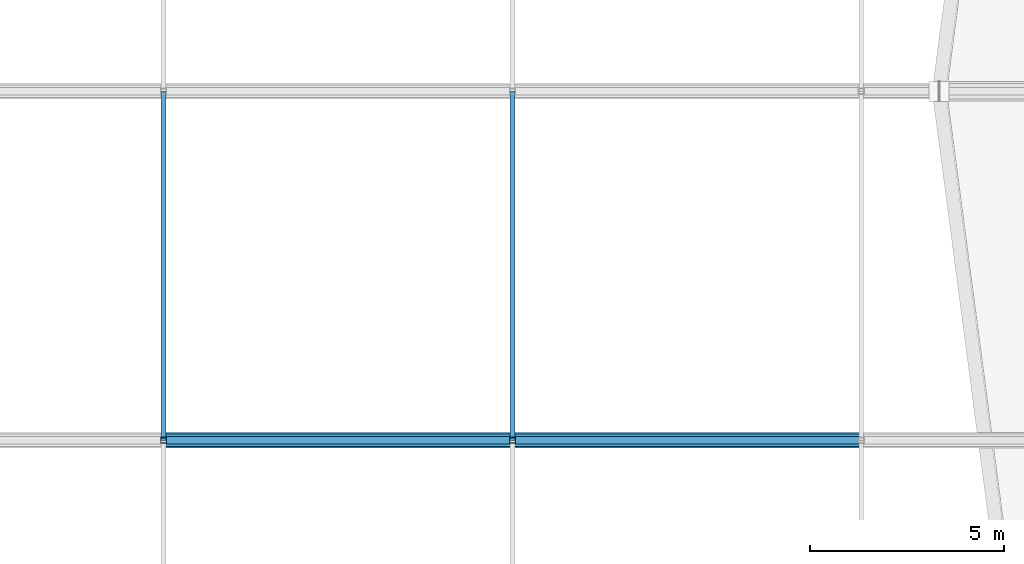
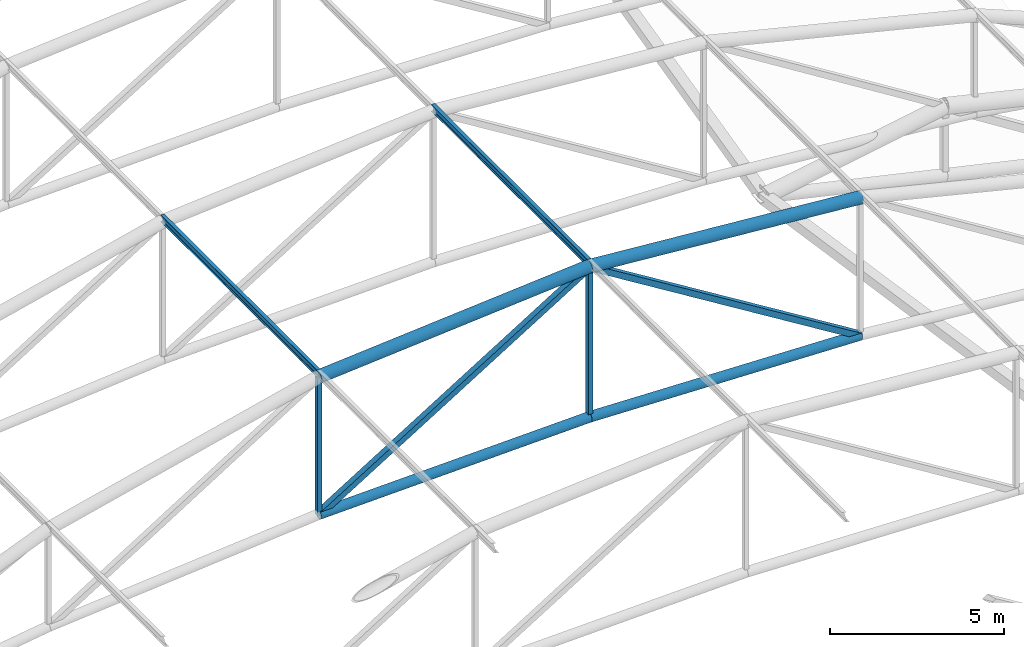
# One storey, part 42 of 167: 10 members.
"""IFC4 building model written with IfcOpenShell, lengths in metres."""

from ifc_helpers import new_model, si_unit, direction, frame, origin, origin_2d, place, context, subcontext, project, spatial, hollow_rectangle, hollow_circle, i_section, extrude, material, material_profile, profile_set, type_object, element, save


model = new_model("IFC4")

# Units and contexts
model_context = context("Model", 3, precision=1e-05, world=origin(), true_north=direction((0.0, 1.0)))
body_context = subcontext(model_context, "Body", "Model", "MODEL_VIEW")
ifc_project = project(units=[si_unit("LENGTHUNIT", "METRE"), si_unit("AREAUNIT", "SQUARE_METRE"), si_unit("VOLUMEUNIT", "CUBIC_METRE"), si_unit("PLANEANGLEUNIT", "RADIAN"), si_unit("MASSUNIT", "GRAM", prefix="KILO")], contexts=[model_context])

# Site, building, storey
site_placement = place(None, origin())
site = spatial("IfcSite", under=ifc_project, at=site_placement, CompositionType="ELEMENT")
building_placement = place(site_placement, origin())
building = spatial("IfcBuilding", under=site, at=building_placement, Name="Dornveld Trade and Exhibition Forum", CompositionType="ELEMENT")
storey_placement = place(building_placement, frame((0.0, 0.0, 16.800048828125)))
storey = spatial("IfcBuildingStorey", under=building, at=storey_placement, Name="L03", CompositionType="ELEMENT", Elevation=16.800048828125)

# Members
ifc_material_1 = material(Name="Steel S355J2", Category="steel")
ifc_material_profile_1 = material_profile(ifc_material_1, hollow_circle(Radius=0.161865234375, WallThickness=0.01611328125, at=origin_2d()), Name="CHS 323.9x16")
ifc_profile_set_1 = profile_set([ifc_material_profile_1], Name="Steel S355J2")
member_type_1 = type_object("IfcMemberType", Name="MEM-ARCH-BC", PredefinedType="CHORD", material=ifc_profile_set_1)
for number, where, z_axis, x_axis, name in (
    (1, (45.0, 72.0, 6.083251953125), (0.999561545365, 0.0, 0.029609407757), (0.0, 1.0, 0.0), "H3 truss 5 tie chord 3"),
    (2, (54.0, 72.0, 6.349853515625), (0.999561545365, 0.0, -0.029609407757), (0.0, 1.0, 0.0), "H3 truss 5 tie chord 4"),
):
    element("IfcMember", number, at=place(storey_placement, frame(where, z_axis=z_axis, x_axis=x_axis)), inside=storey, type_object=member_type_1, Name=name, PredefinedType="CHORD", context=body_context, shape_type="SweptSolid", body=[
        extrude(hollow_circle(Radius=0.161865234375, WallThickness=0.01611328125, at=origin_2d()), origin(), (0.0, 0.0, 1.0), 9.00390625),
    ])
ifc_material_2 = material(Name="Steel S355J2", Category="steel")
ifc_material_profile_2 = material_profile(ifc_material_2, hollow_rectangle(XDim=0.14990234375, YDim=0.14990234375, WallThickness=0.008056640625, at=origin_2d()), Name="SHS 150x150x8")
ifc_profile_set_2 = profile_set([ifc_material_profile_2], Name="Steel S355J2")
member_type_2 = type_object("IfcMemberType", Name="MEM-ARCH-STR", PredefinedType="STRUT", material=ifc_profile_set_2)
member_1_placement = place(storey_placement, frame((45.0, 72.0, 6.083251953125), z_axis=(0.0, 0.0, 1.0), x_axis=(1.0, 0.0, 0.0)))
element("IfcMember", 3, at=member_1_placement, inside=storey, type_object=member_type_2, Name="H3 truss 5 strut 3", PredefinedType="STRUT", context=body_context, shape_type="SweptSolid", body=[
    extrude(hollow_rectangle(XDim=0.14990234375, YDim=0.14990234375, WallThickness=0.008056640625, at=origin_2d()), origin(), (0.0, 0.0, 1.0), 4.83349609375),
])
member_2_placement = place(storey_placement, frame((54.0, 72.0, 6.349853515625), z_axis=(0.0, 0.0, 1.0), x_axis=(1.0, 0.0, 0.0)))
element("IfcMember", 4, at=member_2_placement, inside=storey, type_object=member_type_2, Name="H3 truss 5 strut 4", PredefinedType="STRUT", context=body_context, shape_type="SweptSolid", body=[
    extrude(hollow_rectangle(XDim=0.14990234375, YDim=0.14990234375, WallThickness=0.008056640625, at=origin_2d()), origin(), (0.0, 0.0, 1.0), 5.300048828125),
])
ifc_material_3 = material(Name="Steel S355J2", Category="steel")
ifc_material_profile_3 = material_profile(ifc_material_3, hollow_circle(Radius=0.203125, WallThickness=0.02001953125, at=origin_2d()), Name="CHS 406.4x20")
ifc_profile_set_3 = profile_set([ifc_material_profile_3], Name="Steel S355J2")
member_type_3 = type_object("IfcMemberType", Name="MEM-ARCH-TC", PredefinedType="CHORD", material=ifc_profile_set_3)
for number, where, z_axis, x_axis, name in (
    (5, (45.0, 72.0, 10.916748046875), (0.996698427641, 0.0, 0.081192637213), (0.0, 1.0, 0.0), "H3 truss 5 top chord 3"),
    (6, (54.0, 72.0, 11.64990234375), (0.996698427641, 0.0, -0.081192637213), (0.0, 1.0, 0.0), "H3 truss 5 top chord 4"),
):
    element("IfcMember", number, at=place(storey_placement, frame(where, z_axis=z_axis, x_axis=x_axis)), inside=storey, type_object=member_type_3, Name=name, PredefinedType="CHORD", context=body_context, shape_type="SweptSolid", body=[
        extrude(hollow_circle(Radius=0.203125, WallThickness=0.02001953125, at=origin_2d()), origin(), (0.0, 0.0, 1.0), 9.02978515625),
    ])
ifc_material_4 = material(Name="Steel S355J2", Category="steel")
ifc_material_profile_4 = material_profile(ifc_material_4, hollow_rectangle(XDim=0.199951171875, YDim=0.199951171875, WallThickness=0.010009765625, at=origin_2d()), Name="SHS 200x200x10")
ifc_profile_set_4 = profile_set([ifc_material_profile_4], Name="Steel S355J2")
member_type_4 = type_object("IfcMemberType", Name="MEM-ARCH-WEB", PredefinedType="BRACE", material=ifc_profile_set_4)
for number, where, z_axis, x_axis, name in (
    (7, (45.0, 72.0, 6.083251953125), (0.850467158024, 0.0, 0.526028148603), (0.0, 1.0, 0.0), "H3 truss 5 web 3"),
    (8, (63.0, 72.0, 6.083251953125), (-0.850467158024, 0.0, 0.526028148603), (0.0, -1.0, 0.0), "H3 truss 5 web 4"),
):
    element("IfcMember", number, at=place(storey_placement, frame(where, z_axis=z_axis, x_axis=x_axis)), inside=storey, type_object=member_type_4, Name=name, PredefinedType="BRACE", context=body_context, shape_type="SweptSolid", body=[
        extrude(hollow_rectangle(XDim=0.199951171875, YDim=0.199951171875, WallThickness=0.010009765625, at=origin_2d()), origin(), (0.0, 0.0, 1.0), 10.58251953125),
    ])
ifc_material_5 = material(Name="Steel S355J2", Category="steel")
ifc_material_profile_5 = material_profile(ifc_material_5, i_section(OverallWidth=0.1201171875, OverallDepth=0.239990234375, WebThickness=0.006103515625, FlangeThickness=0.009765625, FilletRadius=0.014892578125, at=origin_2d()), Name="IPE 240")
ifc_profile_set_5 = profile_set([ifc_material_profile_5], Name="Steel S355J2")
member_type_5 = type_object("IfcMemberType", Name="MEM-PURLIN-240", PredefinedType="PURLIN", material=ifc_profile_set_5)
for number, where, z_axis, x_axis, name in (
    (9, (45.0, 72.0, 11.048583984375), (0.0, 1.0, 0.0), (-1.0, 0.0, 0.0), "H3 bay 5 roof purlin 3"),
    (10, (54.0, 72.0, 11.781982421875), (0.0, 1.0, 0.0), (-1.0, 0.0, 0.0), "H3 bay 5 roof purlin 4"),
):
    element("IfcMember", number, at=place(storey_placement, frame(where, z_axis=z_axis, x_axis=x_axis)), inside=storey, type_object=member_type_5, Name=name, PredefinedType="PURLIN", context=body_context, shape_type="SweptSolid", body=[
        extrude(i_section(OverallWidth=0.1201171875, OverallDepth=0.239990234375, WebThickness=0.006103515625, FlangeThickness=0.009765625, FilletRadius=0.014892578125, at=origin_2d()), origin(), (0.0, 0.0, 1.0), 9.0),
    ])

save(model, "model.ifc")
